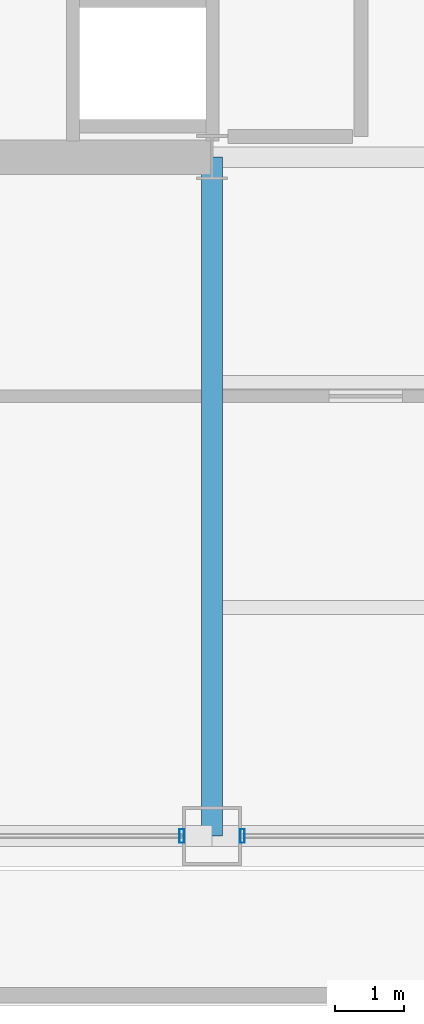
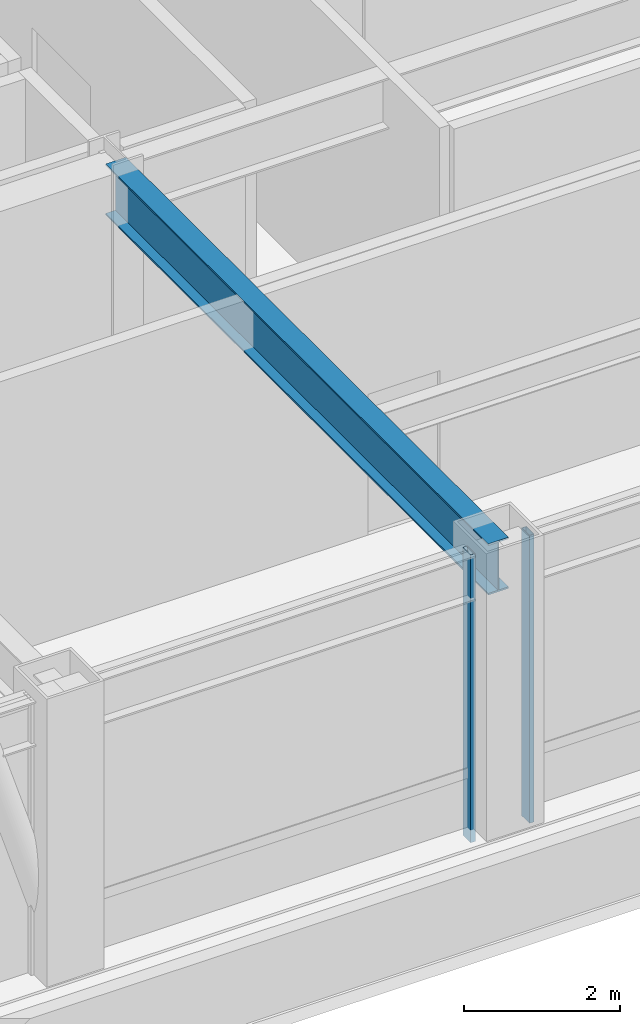
# One storey, part 6 of 32: 2 members, 1 beam, 2 elements without a shape of their own.
"""IFC4 building model written with IfcOpenShell, lengths in metres."""

from ifc_helpers import new_model, si_unit, direction, frame, origin, origin_2d, place, context, subcontext, project, spatial, hollow_rectangle, i_section, extrude, material, layer, layer_set, material_profile, profile_set, type_object, element, aggregate, save


model = new_model("IFC4")

# Units and contexts
model_context = context("Model", 3, precision=1e-05, world=origin(), true_north=direction((0.0, 1.0)))
body_context = subcontext(model_context, "Body", "Model", "MODEL_VIEW")
ifc_project = project(units=[si_unit("LENGTHUNIT", "METRE"), si_unit("AREAUNIT", "SQUARE_METRE"), si_unit("VOLUMEUNIT", "CUBIC_METRE"), si_unit("PLANEANGLEUNIT", "RADIAN"), si_unit("MASSUNIT", "GRAM", prefix="KILO")], contexts=[model_context])

# Site, building, storey
site_placement = place(None, origin())
site = spatial("IfcSite", under=ifc_project, at=site_placement, CompositionType="ELEMENT")
building_placement = place(site_placement, origin())
building = spatial("IfcBuilding", under=site, at=building_placement, Name="Brelmoor Portico Tower", CompositionType="ELEMENT")
storey_placement = place(building_placement, frame((0.0, 0.0, 87.300048828125)))
storey = spatial("IfcBuildingStorey", under=building, at=storey_placement, Name="L22", CompositionType="ELEMENT", Elevation=87.300048828125)

# Beam
ifc_material_1 = material(Name="Steel Q355B", Category="steel")
ifc_material_profile_1 = material_profile(ifc_material_1, i_section(OverallWidth=0.300048828125, OverallDepth=0.800048828125, WebThickness=0.013916015625, FlangeThickness=0.02587890625, at=origin_2d()), Name="HN 800x300x14x26")
ifc_profile_set_1 = profile_set([ifc_material_profile_1], Name="Steel Q355B")
beam_type = type_object("IfcBeamType", Name="BM-PG-800", PredefinedType="BEAM", material=ifc_profile_set_1)
beam_placement = place(storey_placement, frame((-8.050048828125, -19.550048828125, 3.89990234375), z_axis=(0.0, 1.0, 0.0), x_axis=(-1.0, 0.0, 0.0)))
element("IfcBeam", 1, at=beam_placement, inside=storey, type_object=beam_type, Name="L22 Primary Floor Girder PG-05", PredefinedType="BEAM", context=body_context, shape_type="SweptSolid", body=[
    extrude(i_section(OverallWidth=0.300048828125, OverallDepth=0.800048828125, WebThickness=0.013916015625, FlangeThickness=0.02587890625, at=origin_2d()), origin(), (0.0, 0.0, 1.0), 9.800048828125),
])

# Curtain wall, member
ifc_material_2 = material(Name="Anodised Aluminium Alloy 6063-T6", Category="aluminium")
ifc_layer = layer(ifc_material_2, 0.179931640625)
ifc_layer_set = layer_set([ifc_layer], Name="Anodised Aluminium Alloy 6063-T6")
curtain_wall_type = type_object("IfcCurtainWallType", Name="CW-SKYLOBBY", PredefinedType="NOTDEFINED", material=ifc_layer_set)
curtain_wall_1_placement = place(storey_placement, origin())
curtain_wall_1 = element("IfcCurtainWall", 2, at=curtain_wall_1_placement, inside=storey, type_object=curtain_wall_type, Name="L22 Curtain Wall CW-L22-01-2", PredefinedType="NOTDEFINED")
ifc_material_profile_2 = material_profile(ifc_material_2, hollow_rectangle(XDim=0.070068359375, YDim=0.199951171875, WallThickness=0.00439453125, at=origin_2d()), Name="ALU MULLION 70x200")
ifc_profile_set_2 = profile_set([ifc_material_profile_2], Name="Anodised Aluminium Alloy 6063-T6")
member_type = type_object("IfcMemberType", Name="MB-CW-MULL-200", PredefinedType="MULLION", material=ifc_profile_set_2)
member_1_placement = place(storey_placement, frame((-8.485107421875, -19.550048828125, -0.199951171875), z_axis=(0.0, 0.0, 1.0), x_axis=(1.0, 0.0, 0.0)))
member_1 = element("IfcMember", 3, at=member_1_placement, type_object=member_type, Name="CW-L22-01-2 Mullion 01", PredefinedType="MULLION", context=body_context, shape_type="SweptSolid", body=[
    extrude(hollow_rectangle(XDim=0.070068359375, YDim=0.199951171875, WallThickness=0.00439453125, at=origin_2d()), origin(), (0.0, 0.0, 1.0), 4.5),
])
aggregate(curtain_wall_1, [member_1])

curtain_wall_2_placement = place(storey_placement, origin())
curtain_wall_2 = element("IfcCurtainWall", 4, at=curtain_wall_2_placement, inside=storey, type_object=curtain_wall_type, Name="L22 Curtain Wall CW-L22-01-3", PredefinedType="NOTDEFINED")
member_2_placement = place(storey_placement, frame((-7.614990234375, -19.550048828125, -0.199951171875), z_axis=(0.0, 0.0, 1.0), x_axis=(1.0, 0.0, 0.0)))
member_2 = element("IfcMember", 5, at=member_2_placement, type_object=member_type, Name="CW-L22-01-3 Mullion 00", PredefinedType="MULLION", context=body_context, shape_type="SweptSolid", body=[
    extrude(hollow_rectangle(XDim=0.070068359375, YDim=0.199951171875, WallThickness=0.00439453125, at=origin_2d()), origin(), (0.0, 0.0, 1.0), 4.5),
])
aggregate(curtain_wall_2, [member_2])

save(model, "model.ifc")
